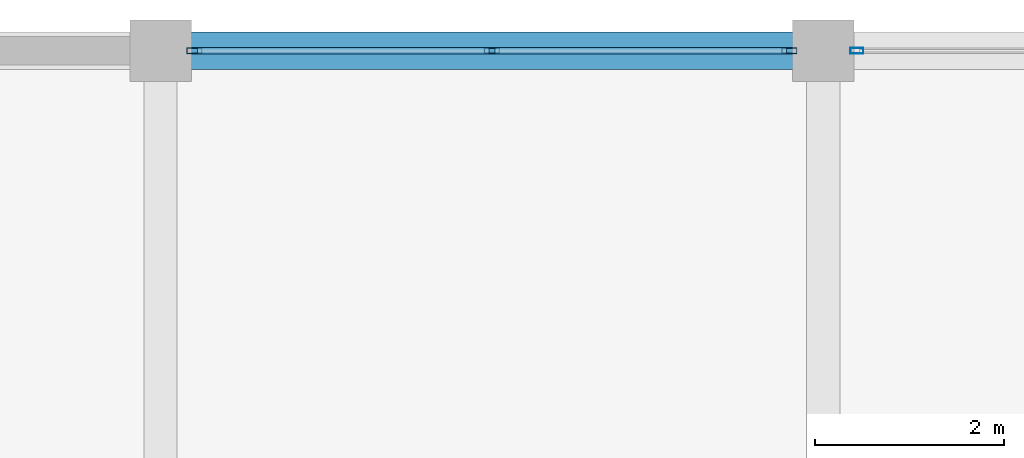
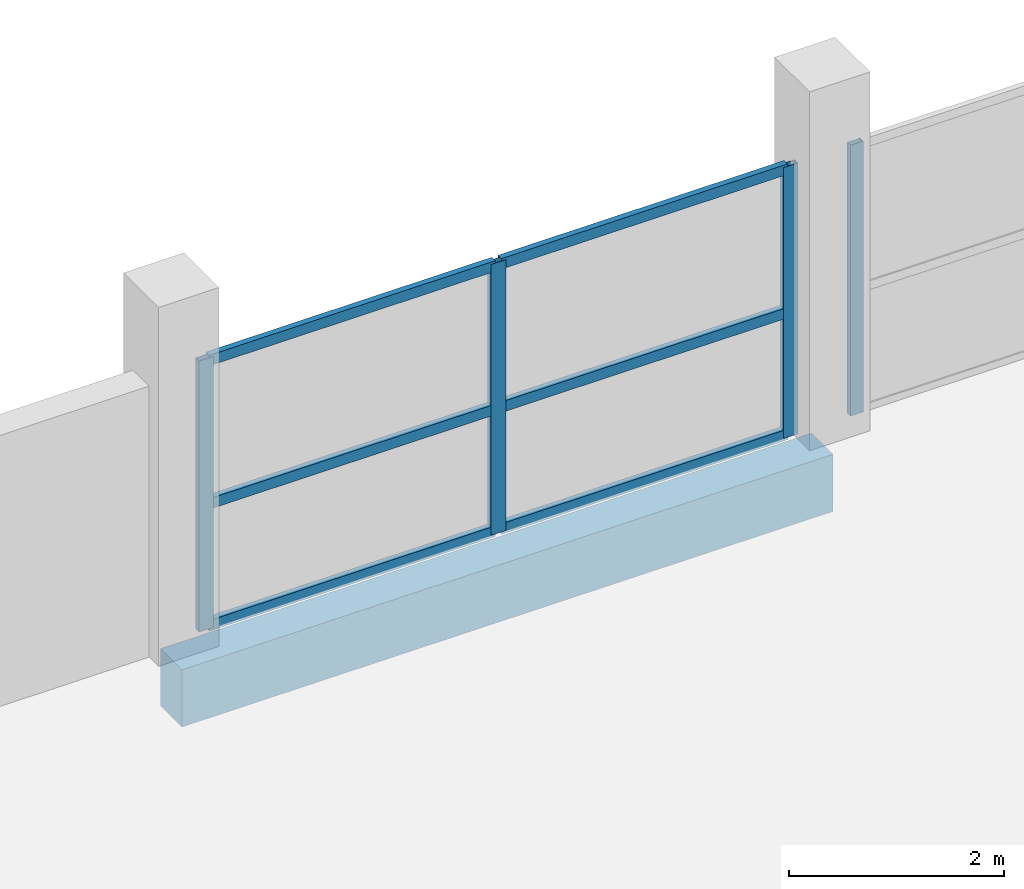
# One storey, part 45 of 70: 10 members, 1 beam, 2 elements without a shape of their own.
"""IFC4 building model written with IfcOpenShell, lengths in metres."""

import ifcopenshell
import ifcopenshell.guid

model = None  # the IFC model being written
_history = None  # IfcOwnerHistory: only IFC2X3 demands one
_inside = {}  # id of a spatial element -> (the spatial element, [elements in it])
_under = {}  # id of a project, library or spatial element -> (it, [spatial elements below it])
_declared = {}  # id of a project -> (the project, [libraries it declares])
_typed = {}  # id of a type object -> (the type object, [elements of that type])
_made_of = {}  # id of a material, layer set ... -> (it, [elements and type objects made of it])


def new_model(schema):
    """Start an empty IFC model of exactly this schema.

    Asked for "IFC4X3", IfcOpenShell would pick the latest addendum, in which some entities
    have other attributes; the version numbers below select the first issue.
    IFC2X3 requires an IfcOwnerHistory on every rooted entity: one is made here for all.
    """
    global model, _history
    if schema == "IFC4X3":
        model = ifcopenshell.file(schema_version=(4, 3, 0, 0))
    else:
        model = ifcopenshell.file(schema=schema)
    _inside.clear()
    _under.clear()
    _declared.clear()
    _typed.clear()
    _made_of.clear()
    _history = None
    if model.schema == "IFC2X3":
        org = make("IfcOrganization", Name="unknown")
        user = make(
            "IfcPersonAndOrganization",
            ThePerson=make("IfcPerson", FamilyName="unknown"),
            TheOrganization=org,
        )
        app = make(
            "IfcApplication",
            ApplicationDeveloper=org,
            Version="unknown",
            ApplicationFullName="unknown",
            ApplicationIdentifier="unknown",
        )
        _history = make(
            "IfcOwnerHistory",
            OwningUser=user,
            OwningApplication=app,
            ChangeAction="ADDED",
            CreationDate=0,
        )
    return model


def make(cls, **values):
    """One entity of the class cls with the attributes given. An attribute that is None is left unset."""
    return model.create_entity(
        cls, **{name: value for name, value in values.items() if value is not None}
    )


def rooted(cls, **values):
    """An entity with a GlobalId (a new one), such as an element, a storey or a relation."""
    return make(cls, GlobalId=ifcopenshell.guid.new(), OwnerHistory=_history, **values)


def si_unit(unit_type, name, prefix=None):
    """IfcSIUnit, for example si_unit("LENGTHUNIT", "METRE", prefix="MILLI")."""
    return make("IfcSIUnit", UnitType=unit_type, Prefix=prefix, Name=name)


def assignment(units):
    """IfcUnitAssignment: the units of a project."""
    return None if units is None else make("IfcUnitAssignment", Units=units)


def point(xyz):
    """IfcCartesianPoint."""
    return None if xyz is None else make("IfcCartesianPoint", Coordinates=xyz)


def direction(xyz):
    """IfcDirection."""
    return None if xyz is None else make("IfcDirection", DirectionRatios=xyz)


def frame(location, z_axis=None, x_axis=None):
    """IfcAxis2Placement3D, a coordinate frame: its origin and axes. An axis left out is left unset."""
    return make(
        "IfcAxis2Placement3D",
        Location=point(location),
        Axis=direction(z_axis),
        RefDirection=direction(x_axis),
    )


def frame_2d(location, x_axis=None):
    """IfcAxis2Placement2D, a coordinate frame in the plane: its origin and x axis."""
    return make(
        "IfcAxis2Placement2D", Location=point(location), RefDirection=direction(x_axis)
    )


def origin():
    """The frame at (0, 0, 0) with its axes left unset."""
    return frame((0.0, 0.0, 0.0))


def origin_2d():
    """The frame at (0, 0) in the plane with its x axis left unset."""
    return frame_2d((0.0, 0.0))


def place(relative_to, where):
    """IfcLocalPlacement: puts the frame where relative to a parent placement (None: the world)."""
    return make(
        "IfcLocalPlacement", PlacementRelTo=relative_to, RelativePlacement=where
    )


def context(
    kind, dimensions, precision=None, world=None, true_north=None, identifier=None
):
    """IfcGeometricRepresentationContext, for example the 3D "Model" context."""
    return make(
        "IfcGeometricRepresentationContext",
        ContextIdentifier=identifier,
        ContextType=kind,
        CoordinateSpaceDimension=dimensions,
        Precision=precision,
        WorldCoordinateSystem=world,
        TrueNorth=true_north,
    )


def subcontext(parent, identifier, kind, view, scale=None):
    """IfcGeometricRepresentationSubContext, for example "Body" below "Model"."""
    return make(
        "IfcGeometricRepresentationSubContext",
        ContextIdentifier=identifier,
        ContextType=kind,
        ParentContext=parent,
        TargetScale=scale,
        TargetView=view,
    )


def project(units=None, contexts=None):
    """IfcProject with its units and contexts."""
    return rooted(
        "IfcProject",
        Name="project",
        RepresentationContexts=contexts,
        UnitsInContext=assignment(units),
    )


def spatial(cls, under=None, at=None, **own):
    """A site, building, storey or space (cls), placed at a placement, below another one or the project."""
    s = rooted(cls, ObjectPlacement=at, **own)
    if under is not None:
        _under.setdefault(under.id(), (under, []))[1].append(s)
    return s


def profile(cls, at=None, kind="AREA", **sizes):
    """A parametric profile (cls). Its sizes go by their IFC names, for example OverallWidth=200.0."""
    return make(cls, ProfileType=kind, Position=at, **sizes)


def rectangle(**sizes):
    """IfcRectangleProfileDef."""
    return profile("IfcRectangleProfileDef", **sizes)


def hollow_rectangle(**sizes):
    """IfcRectangleHollowProfileDef."""
    return profile("IfcRectangleHollowProfileDef", **sizes)


def extrude(swept, where, along, depth):
    """IfcExtrudedAreaSolid: the profile swept, set in the frame where, extruded along a direction by depth."""
    return make(
        "IfcExtrudedAreaSolid",
        SweptArea=swept,
        Position=where,
        ExtrudedDirection=direction(along),
        Depth=depth,
    )


def shape(context_of_items, identifier, shape_type, items):
    """IfcShapeRepresentation: the items that make up one representation, for example the "Body"."""
    return make(
        "IfcShapeRepresentation",
        ContextOfItems=context_of_items,
        RepresentationIdentifier=identifier,
        RepresentationType=shape_type,
        Items=items,
    )


def material(Name=None, Category=None):
    """IfcMaterial."""
    return make("IfcMaterial", Name=Name, Category=Category)


def layer(
    of_material, thickness, ventilated=None, Name=None, Category=None, Priority=None
):
    """IfcMaterialLayer: one layer of a wall or slab, of a material (None: an air gap)."""
    return make(
        "IfcMaterialLayer",
        Material=of_material,
        LayerThickness=thickness,
        IsVentilated=ventilated,
        Name=Name,
        Category=Category,
        Priority=Priority,
    )


def layer_set(layers, Name=None):
    """IfcMaterialLayerSet."""
    return make("IfcMaterialLayerSet", MaterialLayers=layers, LayerSetName=Name)


def material_profile(
    of_material, cross_section, Name=None, Category=None, Priority=None
):
    """IfcMaterialProfile: a cross section and its material."""
    return make(
        "IfcMaterialProfile",
        Name=Name,
        Material=of_material,
        Profile=cross_section,
        Priority=Priority,
        Category=Category,
    )


def profile_set(profiles, Name=None, composite=None):
    """IfcMaterialProfileSet."""
    return make(
        "IfcMaterialProfileSet",
        Name=Name,
        MaterialProfiles=profiles,
        CompositeProfile=composite,
    )


def made_of(thing, what):
    """Note that an element or type object is made of a material, layer set ...; save() writes the relation."""
    if what is not None:
        _made_of.setdefault(what.id(), (what, []))[1].append(thing)
    return thing


def type_object(cls, material=None, **own):
    """A type object (cls), such as IfcWallType, which elements share."""
    return made_of(rooted(cls, **own), material)


def element(
    cls,
    number,
    at=None,
    inside=None,
    cuts=None,
    type_object=None,
    material=None,
    context=None,
    identifier="Body",
    shape_type=None,
    held_by="IfcProductDefinitionShape",
    body=None,
    shapes=None,
    **own,
):
    """One element of the class cls, such as IfcWall. Its Tag is "e" and its number.

    at: its placement. inside: the storey or other place that contains it. cuts: it is an
    opening in that element (IfcRelVoidsElement). A single representation is given by context,
    identifier, shape_type and body (its items); several are given by shapes. held_by: the class
    of the entity that holds the representations. save() writes the other relations.
    """
    e = rooted(cls, Tag="e%d" % number, ObjectPlacement=at, **own)
    if body is not None:
        shapes = [shape(context, identifier, shape_type, body)]
    if shapes is not None:
        e.Representation = make(held_by, Representations=shapes)
    if inside is not None:
        _inside.setdefault(inside.id(), (inside, []))[1].append(e)
    if cuts is not None:
        rooted(
            "IfcRelVoidsElement", RelatingBuildingElement=cuts, RelatedOpeningElement=e
        )
    if type_object is not None:
        _typed.setdefault(type_object.id(), (type_object, []))[1].append(e)
    return made_of(e, material)


def aggregate(whole, parts):
    """IfcRelAggregates: a whole, such as a stair, and the parts it consists of."""
    return rooted("IfcRelAggregates", RelatingObject=whole, RelatedObjects=parts)


def save(model, path):
    """Write the relations noted so far, then the file.

    IfcRelAggregates (storeys below a building ...), IfcRelContainedInSpatialStructure (elements
    in a storey), IfcRelDefinesByType, IfcRelAssociatesMaterial and IfcRelDeclares: one each for
    every whole, place, type object, material and project.
    """
    for whole, parts in _under.values():
        aggregate(whole, parts)
    for where, things in _inside.values():
        rooted(
            "IfcRelContainedInSpatialStructure",
            RelatedElements=things,
            RelatingStructure=where,
        )
    for kind, things in _typed.values():
        rooted("IfcRelDefinesByType", RelatedObjects=things, RelatingType=kind)
    for what, things in _made_of.values():
        rooted("IfcRelAssociatesMaterial", RelatedObjects=things, RelatingMaterial=what)
    for by, libraries in _declared.values():
        rooted("IfcRelDeclares", RelatingContext=by, RelatedDefinitions=libraries)
    model.write(path)


model = new_model("IFC4")

# Units and contexts
model_context = context("Model", 3, precision=1e-05, world=origin(), true_north=direction((0.0, 1.0)))
body_context = subcontext(model_context, "Body", "Model", "MODEL_VIEW")
ifc_project = project(units=[si_unit("LENGTHUNIT", "METRE"), si_unit("AREAUNIT", "SQUARE_METRE"), si_unit("VOLUMEUNIT", "CUBIC_METRE"), si_unit("PLANEANGLEUNIT", "RADIAN"), si_unit("MASSUNIT", "GRAM", prefix="KILO")], contexts=[model_context])

# Site, building, storey
site_placement = place(None, origin())
site = spatial("IfcSite", under=ifc_project, at=site_placement, CompositionType="ELEMENT")
building_placement = place(site_placement, origin())
building = spatial("IfcBuilding", under=site, at=building_placement, Name="Sillaruma Civic Art Gallery", CompositionType="ELEMENT")
storey_placement = place(building_placement, frame((0.0, 0.0, 66.300048828125)))
storey = spatial("IfcBuildingStorey", under=building, at=storey_placement, Name="L13", CompositionType="ELEMENT", Elevation=66.300048828125)

# Beam
ifc_material_1 = material(Name="Concrete H35 (35 MPa)", Category="concrete")
ifc_material_profile_1 = material_profile(ifc_material_1, rectangle(XDim=0.39990234375, YDim=0.64990234375, at=origin_2d()), Name="RCB400x650")
ifc_profile_set_1 = profile_set([ifc_material_profile_1], Name="Concrete H35 (35 MPa)")
beam_type = type_object("IfcBeamType", Name="BM-SPANDREL-RCB400x650", PredefinedType="SPANDREL", material=ifc_profile_set_1)
beam_placement = place(storey_placement, frame((70.0, 99.0, -0.554931640625), z_axis=(1.0, 0.0, 0.0), x_axis=(0.0, 1.0, 0.0)))
element("IfcBeam", 1, at=beam_placement, inside=storey, type_object=beam_type, Name="Beam BS-02 (L12:11:G-H)", PredefinedType="SPANDREL", context=body_context, shape_type="SweptSolid", body=[
    extrude(rectangle(XDim=0.39990234375, YDim=0.64990234375, at=origin_2d()), origin(), (0.0, 0.0, 1.0), 7.0),
])

# Curtain wall, member
ifc_material_2 = material(Name="Thermally Broken Extruded Aluminium 6063-T6", Category="aluminium")
ifc_layer_1 = layer(ifc_material_2, 0.139892578125, Name="Thermally Broken Extruded Aluminium 6063-T6")
ifc_layer_set_1 = layer_set([ifc_layer_1], Name="Thermally Broken Extruded Aluminium 6063-T6")
curtain_wall_type_1 = type_object("IfcCurtainWallType", Name="CW-UNI-106", PredefinedType="NOTDEFINED", material=ifc_layer_set_1)
curtain_wall_1_placement = place(storey_placement, origin())
curtain_wall_1 = element("IfcCurtainWall", 2, at=curtain_wall_1_placement, inside=storey, type_object=curtain_wall_type_1, Name="Unitised Curtain Wall CW-106 (CW-L13-WBN-3)", PredefinedType="NOTDEFINED")
ifc_material_profile_2 = material_profile(ifc_material_2, hollow_rectangle(XDim=0.06005859375, YDim=0.139892578125, WallThickness=0.00341796875, at=origin_2d()), Name="CWM60x140")
ifc_profile_set_2 = profile_set([ifc_material_profile_2], Name="Thermally Broken Extruded Aluminium 6063-T6")
member_type_1 = type_object("IfcMemberType", Name="MEM-MUL-CWM60x140", PredefinedType="MULLION", material=ifc_profile_set_2)
member_1_placement = place(storey_placement, frame((77.35498046875, 99.0, 0.0), z_axis=(0.0, 0.0, 1.0), x_axis=(0.0, 1.0, 0.0)))
member_1 = element("IfcMember", 3, at=member_1_placement, type_object=member_type_1, Name="CW-106 mullion 1", PredefinedType="MULLION", context=body_context, shape_type="SweptSolid", body=[
    extrude(hollow_rectangle(XDim=0.06005859375, YDim=0.139892578125, WallThickness=0.00341796875, at=origin_2d()), origin(), (0.0, 0.0, 1.0), 3.079833984375),
])
aggregate(curtain_wall_1, [member_1])

# Curtain wall, members
ifc_layer_2 = layer(ifc_material_2, 0.159912109375, Name="Thermally Broken Extruded Aluminium 6063-T6")
ifc_layer_set_2 = layer_set([ifc_layer_2], Name="Thermally Broken Extruded Aluminium 6063-T6")
curtain_wall_type_2 = type_object("IfcCurtainWallType", Name="CW-UNI-96", PredefinedType="NOTDEFINED", material=ifc_layer_set_2)
curtain_wall_2_placement = place(storey_placement, origin())
curtain_wall_2 = element("IfcCurtainWall", 4, at=curtain_wall_2_placement, inside=storey, type_object=curtain_wall_type_2, Name="Unitised Curtain Wall CW-96 (CW-L13-WBN-2)", PredefinedType="NOTDEFINED")
ifc_material_profile_3 = material_profile(ifc_material_2, hollow_rectangle(XDim=0.06494140625, YDim=0.159912109375, WallThickness=0.00390625, at=origin_2d()), Name="CWM65x160")
ifc_profile_set_3 = profile_set([ifc_material_profile_3], Name="Thermally Broken Extruded Aluminium 6063-T6")
member_type_2 = type_object("IfcMemberType", Name="MEM-MUL-CWM65x160", PredefinedType="MULLION", material=ifc_profile_set_3)
member_2_placement = place(storey_placement, frame((70.357421875, 99.0, 0.0), z_axis=(0.0, 0.0, 1.0), x_axis=(0.0, 1.0, 0.0)))
member_2 = element("IfcMember", 5, at=member_2_placement, type_object=member_type_2, Name="CW-96 mullion 1", PredefinedType="MULLION", context=body_context, shape_type="SweptSolid", body=[
    extrude(hollow_rectangle(XDim=0.06494140625, YDim=0.159912109375, WallThickness=0.00390625, at=origin_2d()), origin(), (0.0, 0.0, 1.0), 3.079833984375),
])
member_3_placement = place(storey_placement, frame((73.5, 99.0, 0.0), z_axis=(0.0, 0.0, 1.0), x_axis=(0.0, 1.0, 0.0)))
member_3 = element("IfcMember", 6, at=member_3_placement, type_object=member_type_2, Name="CW-96 mullion 2", PredefinedType="MULLION", context=body_context, shape_type="SweptSolid", body=[
    extrude(hollow_rectangle(XDim=0.06494140625, YDim=0.159912109375, WallThickness=0.00390625, at=origin_2d()), origin(), (0.0, 0.0, 1.0), 3.079833984375),
])
member_4_placement = place(storey_placement, frame((76.642578125, 99.0, 0.0), z_axis=(0.0, 0.0, 1.0), x_axis=(0.0, 1.0, 0.0)))
member_4 = element("IfcMember", 7, at=member_4_placement, type_object=member_type_2, Name="CW-96 mullion 3", PredefinedType="MULLION", context=body_context, shape_type="SweptSolid", body=[
    extrude(hollow_rectangle(XDim=0.06494140625, YDim=0.159912109375, WallThickness=0.00390625, at=origin_2d()), origin(), (0.0, 0.0, 1.0), 3.079833984375),
])
ifc_material_profile_4 = material_profile(ifc_material_2, hollow_rectangle(XDim=0.06494140625, YDim=0.1201171875, WallThickness=0.00341796875, at=origin_2d()), Name="CWT65x120")
ifc_profile_set_4 = profile_set([ifc_material_profile_4], Name="Thermally Broken Extruded Aluminium 6063-T6")
member_type_3 = type_object("IfcMemberType", Name="MEM-TRN-CWT65x120", PredefinedType="USERDEFINED", material=ifc_profile_set_4)
member_5_placement = place(storey_placement, frame((70.389892578125, 99.0, 0.032470703125), z_axis=(1.0, 0.0, 0.0), x_axis=(0.0, 1.0, 0.0)))
member_5 = element("IfcMember", 8, at=member_5_placement, type_object=member_type_3, Name="CW-96 transom 1.1", ObjectType="TRANSOM", PredefinedType="USERDEFINED", context=body_context, shape_type="SweptSolid", body=[
    extrude(hollow_rectangle(XDim=0.06494140625, YDim=0.1201171875, WallThickness=0.00341796875, at=origin_2d()), origin(), (0.0, 0.0, 1.0), 3.07763671875),
])
member_6_placement = place(storey_placement, frame((70.389892578125, 99.0, 1.416748046875), z_axis=(1.0, 0.0, 0.0), x_axis=(0.0, 1.0, 0.0)))
member_6 = element("IfcMember", 9, at=member_6_placement, type_object=member_type_3, Name="CW-96 transom 1.2", ObjectType="TRANSOM", PredefinedType="USERDEFINED", context=body_context, shape_type="SweptSolid", body=[
    extrude(hollow_rectangle(XDim=0.06494140625, YDim=0.1201171875, WallThickness=0.00341796875, at=origin_2d()), origin(), (0.0, 0.0, 1.0), 3.07763671875),
])
member_7_placement = place(storey_placement, frame((70.389892578125, 99.0, 3.04736328125), z_axis=(1.0, 0.0, 0.0), x_axis=(0.0, 1.0, 0.0)))
member_7 = element("IfcMember", 10, at=member_7_placement, type_object=member_type_3, Name="CW-96 transom 1.3", ObjectType="TRANSOM", PredefinedType="USERDEFINED", context=body_context, shape_type="SweptSolid", body=[
    extrude(hollow_rectangle(XDim=0.06494140625, YDim=0.1201171875, WallThickness=0.00341796875, at=origin_2d()), origin(), (0.0, 0.0, 1.0), 3.07763671875),
])
member_8_placement = place(storey_placement, frame((73.532470703125, 99.0, 0.032470703125), z_axis=(1.0, 0.0, 0.0), x_axis=(0.0, 1.0, 0.0)))
member_8 = element("IfcMember", 11, at=member_8_placement, type_object=member_type_3, Name="CW-96 transom 2.1", ObjectType="TRANSOM", PredefinedType="USERDEFINED", context=body_context, shape_type="SweptSolid", body=[
    extrude(hollow_rectangle(XDim=0.06494140625, YDim=0.1201171875, WallThickness=0.00341796875, at=origin_2d()), origin(), (0.0, 0.0, 1.0), 3.07763671875),
])
member_9_placement = place(storey_placement, frame((73.532470703125, 99.0, 1.416748046875), z_axis=(1.0, 0.0, 0.0), x_axis=(0.0, 1.0, 0.0)))
member_9 = element("IfcMember", 12, at=member_9_placement, type_object=member_type_3, Name="CW-96 transom 2.2", ObjectType="TRANSOM", PredefinedType="USERDEFINED", context=body_context, shape_type="SweptSolid", body=[
    extrude(hollow_rectangle(XDim=0.06494140625, YDim=0.1201171875, WallThickness=0.00341796875, at=origin_2d()), origin(), (0.0, 0.0, 1.0), 3.07763671875),
])
member_10_placement = place(storey_placement, frame((73.532470703125, 99.0, 3.04736328125), z_axis=(1.0, 0.0, 0.0), x_axis=(0.0, 1.0, 0.0)))
member_10 = element("IfcMember", 13, at=member_10_placement, type_object=member_type_3, Name="CW-96 transom 2.3", ObjectType="TRANSOM", PredefinedType="USERDEFINED", context=body_context, shape_type="SweptSolid", body=[
    extrude(hollow_rectangle(XDim=0.06494140625, YDim=0.1201171875, WallThickness=0.00341796875, at=origin_2d()), origin(), (0.0, 0.0, 1.0), 3.07763671875),
])
aggregate(curtain_wall_2, [member_2, member_3, member_4, member_5, member_6, member_7, member_8, member_9, member_10])

save(model, "model.ifc")
